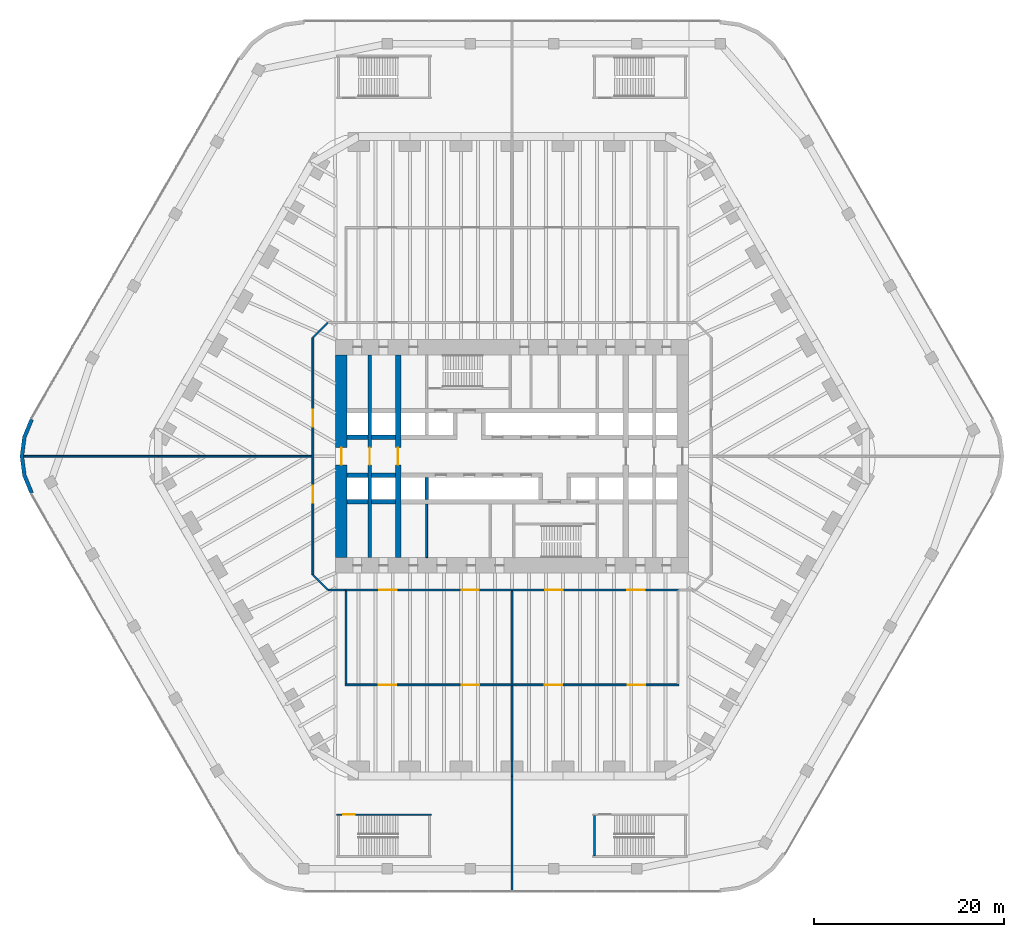
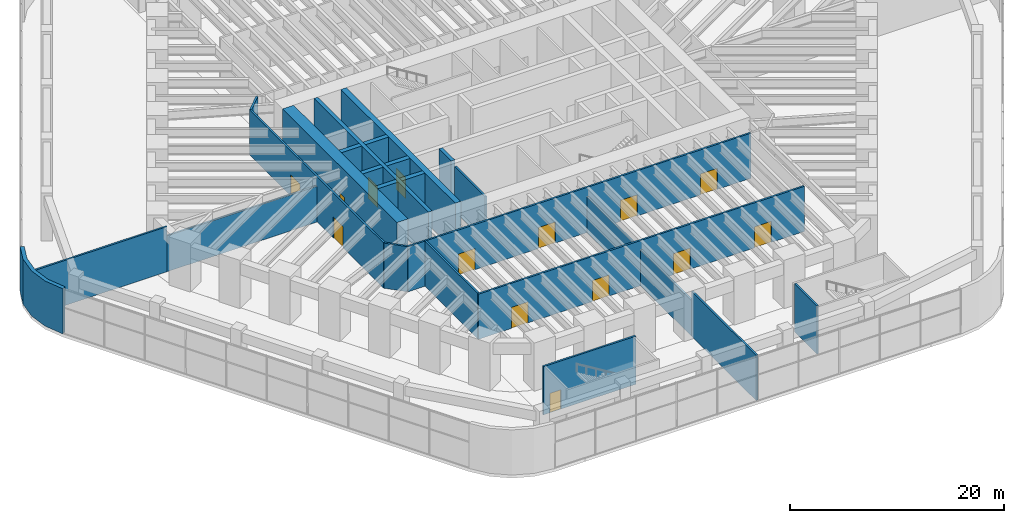
# One storey, part 26 of 31: 26 walls, 14 doors, 14 openings.
"""IFC4 building model written with IfcOpenShell, lengths in metres."""

from ifc_helpers import new_model, si_unit, direction, frame, frame_2d, origin, place, context, subcontext, project, spatial, polyline, rectangle, outline, extrude, material, layer, layer_set, type_object, element, fill, save


model = new_model("IFC4")

# Units and contexts
model_context = context("Model", 3, precision=1e-05, world=origin(), true_north=direction((0.0, 1.0)))
body_context = subcontext(model_context, "Body", "Model", "MODEL_VIEW")
ifc_project = project(units=[si_unit("LENGTHUNIT", "METRE"), si_unit("AREAUNIT", "SQUARE_METRE"), si_unit("VOLUMEUNIT", "CUBIC_METRE"), si_unit("PLANEANGLEUNIT", "RADIAN"), si_unit("MASSUNIT", "GRAM", prefix="KILO")], contexts=[model_context])

# Site, building, storey
site_placement = place(None, origin())
site = spatial("IfcSite", under=ifc_project, at=site_placement, CompositionType="ELEMENT")
building_placement = place(site_placement, origin())
building = spatial("IfcBuilding", under=site, at=building_placement, Name="Tarfa Lantern Tower", CompositionType="ELEMENT")
storey_placement = place(building_placement, frame((0.0, 0.0, 13.0)))
storey = spatial("IfcBuildingStorey", under=building, at=storey_placement, Name="L02", CompositionType="ELEMENT", Elevation=13.0)

# Walls
ifc_material_1 = material(Name="Limestone cladding on blockwork", Category="masonry")
ifc_layer_1 = layer(ifc_material_1, 0.39990234375)
ifc_layer_set_1 = layer_set([ifc_layer_1], Name="EW2 CURVED STONE CORNER 400")
wall_type_1 = type_object("IfcWallType", Name="EW2 CURVED STONE CORNER 400", PredefinedType="SOLIDWALL", material=ifc_layer_set_1)
wall_1_placement = place(storey_placement, origin())
element("IfcWall", 1, at=wall_1_placement, inside=storey, type_object=wall_type_1, Name="Stone corner NW-SW", PredefinedType="SOLIDWALL", context=body_context, shape_type="SweptSolid", body=[
    extrude(outline(polyline([(-50.806884765625, 4.0), (-51.60595703125, 2.070556640625), (-51.878662109375, 0.0), (-51.60595703125, -2.070556640625), (-50.806884765625, -4.0), (-50.46044921875, -3.800048828125), (-51.2197265625, -1.967041015625), (-51.478515625, 0.0), (-51.2197265625, 1.967041015625), (-50.46044921875, 3.800048828125), (-50.806884765625, 4.0)])), origin(), (0.0, 0.0, 1.0), 5.14990234375),
])
ifc_material_2 = material(Name="Concrete blockwork", Category="masonry")
ifc_layer_2 = layer(ifc_material_2, 0.199951171875)
ifc_layer_set_2 = layer_set([ifc_layer_2], Name="IW1 BLOCKWORK PARTITION 200 EI 120")
wall_type_2 = type_object("IfcWallType", Name="IW1 BLOCKWORK PARTITION 200 EI 120", PredefinedType="PARTITIONING", material=ifc_layer_set_2)
wall_2_placement = place(storey_placement, frame((-9.0, -5.050048828125, 0.0), z_axis=(0.0, 0.0, 1.0), x_axis=(0.0, -1.0, 0.0)))
element("IfcWall", 2, at=wall_2_placement, inside=storey, type_object=wall_type_2, Name="Core partition", PredefinedType="PARTITIONING", context=body_context, shape_type="SweptSolid", body=[
    extrude(rectangle(XDim=5.64990234375, YDim=0.199951171875, at=frame_2d((2.824951171875, 0.0))), origin(), (0.0, 0.0, 1.0), 5.14990234375),
])

# Wall, openings, doors
ifc_material_3 = material(Name="Gypsum board on steel studs", Category="steel")
ifc_layer_3 = layer(ifc_material_3, 0.2099609375)
ifc_layer_set_3 = layer_set([ifc_layer_3], Name="IW2 ACOUSTIC PARTITION 200")
wall_type_3 = type_object("IfcWallType", Name="IW2 ACOUSTIC PARTITION 200", PredefinedType="PARTITIONING", material=ifc_layer_set_3)
wall_3_placement = place(storey_placement, frame((17.60009765625, -14.10009765625, 0.0), z_axis=(0.0, 0.0, 1.0), x_axis=(-1.0, 0.0, 0.0)))
wall_3 = element("IfcWall", 3, at=wall_3_placement, inside=storey, type_object=wall_type_3, Name="Partition", PredefinedType="PARTITIONING", context=body_context, shape_type="SweptSolid", body=[
    extrude(rectangle(XDim=35.2001953125, YDim=0.199951171875, at=frame_2d((17.60009765625, 0.0))), origin(), (0.0, 0.0, 1.0), 5.14990234375),
])
opening_1_placement = place(wall_3_placement, frame((12.27490234375, 0.0, 0.0)))
opening_1 = element("IfcOpeningElement", 4, at=opening_1_placement, cuts=wall_3, Name="Opening D37", PredefinedType="OPENING", context=body_context, shape_type="SweptSolid", body=[
    extrude(rectangle(XDim=1.800048828125, YDim=2.39990234375, at=frame_2d((0.89990234375, 1.199951171875))), frame((0.0, 0.10986328125, 0.0), z_axis=(0.0, -1.0, 0.0), x_axis=(1.0, 0.0, 0.0)), (0.0, 0.0, 1.0), 0.219970703125),
])
opening_2_placement = place(wall_3_placement, frame((3.625, 0.0, 0.0)))
opening_2 = element("IfcOpeningElement", 5, at=opening_2_placement, cuts=wall_3, Name="Opening D38", PredefinedType="OPENING", context=body_context, shape_type="SweptSolid", body=[
    extrude(rectangle(XDim=1.800048828125, YDim=2.39990234375, at=frame_2d((0.89990234375, 1.199951171875))), frame((0.0, 0.10986328125, 0.0), z_axis=(0.0, -1.0, 0.0), x_axis=(1.0, 0.0, 0.0)), (0.0, 0.0, 1.0), 0.219970703125),
])
opening_3_placement = place(wall_3_placement, frame((29.77490234375, 0.0, 0.0)))
opening_3 = element("IfcOpeningElement", 6, at=opening_3_placement, cuts=wall_3, Name="Opening D39", PredefinedType="OPENING", context=body_context, shape_type="SweptSolid", body=[
    extrude(rectangle(XDim=1.800048828125, YDim=2.39990234375, at=frame_2d((0.89990234375, 1.199951171875))), frame((0.0, 0.10986328125, 0.0), z_axis=(0.0, -1.0, 0.0), x_axis=(1.0, 0.0, 0.0)), (0.0, 0.0, 1.0), 0.219970703125),
])
opening_4_placement = place(wall_3_placement, frame((21.125, 0.0, 0.0)))
opening_4 = element("IfcOpeningElement", 7, at=opening_4_placement, cuts=wall_3, Name="Opening D40", PredefinedType="OPENING", context=body_context, shape_type="SweptSolid", body=[
    extrude(rectangle(XDim=1.800048828125, YDim=2.39990234375, at=frame_2d((0.89990234375, 1.199951171875))), frame((0.0, 0.10986328125, 0.0), z_axis=(0.0, -1.0, 0.0), x_axis=(1.0, 0.0, 0.0)), (0.0, 0.0, 1.0), 0.219970703125),
])
ifc_material_4 = material(Name="Timber door", Category="wood")
door_type_1 = type_object("IfcDoorType", Name="DR2 ROOM DOOR 1800x2400", OperationType="DOUBLE_DOOR_SINGLE_SWING", PredefinedType="DOOR", material=ifc_material_4)
door_1_placement = place(opening_1_placement, origin())
door_1 = element("IfcDoor", 8, at=door_1_placement, inside=storey, type_object=door_type_1, Name="Training room door", OperationType="DOUBLE_DOOR_SINGLE_SWING", OverallHeight=2.39990234375, OverallWidth=1.800048828125, PredefinedType="DOOR", context=body_context, shape_type="SweptSolid", body=[
    extrude(rectangle(XDim=1.800048828125, YDim=2.39990234375, at=frame_2d((0.89990234375, 1.199951171875))), frame((0.0, 0.02490234375, 0.0), z_axis=(0.0, -1.0, 0.0), x_axis=(1.0, 0.0, 0.0)), (0.0, 0.0, 1.0), 0.050048828125),
])
fill(opening_1, door_1)
door_2_placement = place(opening_2_placement, origin())
door_2 = element("IfcDoor", 9, at=door_2_placement, inside=storey, type_object=door_type_1, Name="Training room door", OperationType="DOUBLE_DOOR_SINGLE_SWING", OverallHeight=2.39990234375, OverallWidth=1.800048828125, PredefinedType="DOOR", context=body_context, shape_type="SweptSolid", body=[
    extrude(rectangle(XDim=1.800048828125, YDim=2.39990234375, at=frame_2d((0.89990234375, 1.199951171875))), frame((0.0, 0.02490234375, 0.0), z_axis=(0.0, -1.0, 0.0), x_axis=(1.0, 0.0, 0.0)), (0.0, 0.0, 1.0), 0.050048828125),
])
fill(opening_2, door_2)
door_3_placement = place(opening_3_placement, origin())
door_3 = element("IfcDoor", 10, at=door_3_placement, inside=storey, type_object=door_type_1, Name="Training room door", OperationType="DOUBLE_DOOR_SINGLE_SWING", OverallHeight=2.39990234375, OverallWidth=1.800048828125, PredefinedType="DOOR", context=body_context, shape_type="SweptSolid", body=[
    extrude(rectangle(XDim=1.800048828125, YDim=2.39990234375, at=frame_2d((0.89990234375, 1.199951171875))), frame((0.0, 0.02490234375, 0.0), z_axis=(0.0, -1.0, 0.0), x_axis=(1.0, 0.0, 0.0)), (0.0, 0.0, 1.0), 0.050048828125),
])
fill(opening_3, door_3)
door_4_placement = place(opening_4_placement, origin())
door_4 = element("IfcDoor", 11, at=door_4_placement, inside=storey, type_object=door_type_1, Name="Training room door", OperationType="DOUBLE_DOOR_SINGLE_SWING", OverallHeight=2.39990234375, OverallWidth=1.800048828125, PredefinedType="DOOR", context=body_context, shape_type="SweptSolid", body=[
    extrude(rectangle(XDim=1.800048828125, YDim=2.39990234375, at=frame_2d((0.89990234375, 1.199951171875))), frame((0.0, 0.02490234375, 0.0), z_axis=(0.0, -1.0, 0.0), x_axis=(1.0, 0.0, 0.0)), (0.0, 0.0, 1.0), 0.050048828125),
])
fill(opening_4, door_4)

# Walls
wall_4_placement = place(storey_placement, frame((0.0, -14.199951171875, 0.0), z_axis=(0.0, 0.0, 1.0), x_axis=(0.0, -1.0, 0.0)))
element("IfcWall", 12, at=wall_4_placement, inside=storey, type_object=wall_type_3, Name="Partition", PredefinedType="PARTITIONING", context=body_context, shape_type="SweptSolid", body=[
    extrude(rectangle(XDim=9.800048828125, YDim=0.199951171875, at=frame_2d((4.89990234375, 0.0))), origin(), (0.0, 0.0, 1.0), 4.093994140625),
])
wall_5_placement = place(storey_placement, frame((-17.5, -14.199951171875, 0.0), z_axis=(0.0, 0.0, 1.0), x_axis=(0.0, -1.0, 0.0)))
element("IfcWall", 13, at=wall_5_placement, inside=storey, type_object=wall_type_3, Name="Partition", PredefinedType="PARTITIONING", context=body_context, shape_type="SweptSolid", body=[
    extrude(rectangle(XDim=9.800048828125, YDim=0.199951171875, at=frame_2d((4.89990234375, 0.0))), origin(), (0.0, 0.0, 1.0), 5.14990234375),
])

# Wall, openings, doors
wall_6_placement = place(storey_placement, frame((17.60009765625, -24.10009765625, 0.0), z_axis=(0.0, 0.0, 1.0), x_axis=(-1.0, 0.0, 0.0)))
wall_6 = element("IfcWall", 14, at=wall_6_placement, inside=storey, type_object=wall_type_3, Name="Partition", PredefinedType="PARTITIONING", context=body_context, shape_type="SweptSolid", body=[
    extrude(rectangle(XDim=35.2001953125, YDim=0.199951171875, at=frame_2d((17.60009765625, 0.0))), origin(), (0.0, 0.0, 1.0), 5.14990234375),
])
opening_5_placement = place(wall_6_placement, frame((3.574951171875, 0.0, 0.0)))
opening_5 = element("IfcOpeningElement", 15, at=opening_5_placement, cuts=wall_6, Name="Opening D45", PredefinedType="OPENING", context=body_context, shape_type="SweptSolid", body=[
    extrude(rectangle(XDim=1.800048828125, YDim=2.39990234375, at=frame_2d((0.89990234375, 1.199951171875))), frame((0.0, 0.10986328125, 0.0), z_axis=(0.0, -1.0, 0.0), x_axis=(1.0, 0.0, 0.0)), (0.0, 0.0, 1.0), 0.219970703125),
])
opening_6_placement = place(wall_6_placement, frame((12.324951171875, 0.0, 0.0)))
opening_6 = element("IfcOpeningElement", 16, at=opening_6_placement, cuts=wall_6, Name="Opening D46", PredefinedType="OPENING", context=body_context, shape_type="SweptSolid", body=[
    extrude(rectangle(XDim=1.800048828125, YDim=2.39990234375, at=frame_2d((0.89990234375, 1.199951171875))), frame((0.0, 0.10986328125, 0.0), z_axis=(0.0, -1.0, 0.0), x_axis=(1.0, 0.0, 0.0)), (0.0, 0.0, 1.0), 0.219970703125),
])
opening_7_placement = place(wall_6_placement, frame((21.074951171875, 0.0, 0.0)))
opening_7 = element("IfcOpeningElement", 17, at=opening_7_placement, cuts=wall_6, Name="Opening D47", PredefinedType="OPENING", context=body_context, shape_type="SweptSolid", body=[
    extrude(rectangle(XDim=1.800048828125, YDim=2.39990234375, at=frame_2d((0.89990234375, 1.199951171875))), frame((0.0, 0.10986328125, 0.0), z_axis=(0.0, -1.0, 0.0), x_axis=(1.0, 0.0, 0.0)), (0.0, 0.0, 1.0), 0.219970703125),
])
opening_8_placement = place(wall_6_placement, frame((29.824951171875, 0.0, 0.0)))
opening_8 = element("IfcOpeningElement", 18, at=opening_8_placement, cuts=wall_6, Name="Opening D48", PredefinedType="OPENING", context=body_context, shape_type="SweptSolid", body=[
    extrude(rectangle(XDim=1.800048828125, YDim=2.39990234375, at=frame_2d((0.89990234375, 1.199951171875))), frame((0.0, 0.10986328125, 0.0), z_axis=(0.0, -1.0, 0.0), x_axis=(1.0, 0.0, 0.0)), (0.0, 0.0, 1.0), 0.219970703125),
])
door_5_placement = place(opening_5_placement, frame((1.800048828125, 0.0, 0.0), z_axis=(0.0, 0.0, 1.0), x_axis=(-1.0, 0.0, 0.0)))
door_5 = element("IfcDoor", 19, at=door_5_placement, inside=storey, type_object=door_type_1, Name="Training room door", OperationType="DOUBLE_DOOR_SINGLE_SWING", OverallHeight=2.39990234375, OverallWidth=1.800048828125, PredefinedType="DOOR", context=body_context, shape_type="SweptSolid", body=[
    extrude(rectangle(XDim=1.800048828125, YDim=2.39990234375, at=frame_2d((0.89990234375, 1.199951171875))), frame((0.0, 0.02490234375, 0.0), z_axis=(0.0, -1.0, 0.0), x_axis=(1.0, 0.0, 0.0)), (0.0, 0.0, 1.0), 0.050048828125),
])
fill(opening_5, door_5)
door_6_placement = place(opening_6_placement, frame((1.800048828125, 0.0, 0.0), z_axis=(0.0, 0.0, 1.0), x_axis=(-1.0, 0.0, 0.0)))
door_6 = element("IfcDoor", 20, at=door_6_placement, inside=storey, type_object=door_type_1, Name="Training room door", OperationType="DOUBLE_DOOR_SINGLE_SWING", OverallHeight=2.39990234375, OverallWidth=1.800048828125, PredefinedType="DOOR", context=body_context, shape_type="SweptSolid", body=[
    extrude(rectangle(XDim=1.800048828125, YDim=2.39990234375, at=frame_2d((0.89990234375, 1.199951171875))), frame((0.0, 0.02490234375, 0.0), z_axis=(0.0, -1.0, 0.0), x_axis=(1.0, 0.0, 0.0)), (0.0, 0.0, 1.0), 0.050048828125),
])
fill(opening_6, door_6)
door_7_placement = place(opening_7_placement, frame((1.800048828125, 0.0, 0.0), z_axis=(0.0, 0.0, 1.0), x_axis=(-1.0, 0.0, 0.0)))
door_7 = element("IfcDoor", 21, at=door_7_placement, inside=storey, type_object=door_type_1, Name="Training room door", OperationType="DOUBLE_DOOR_SINGLE_SWING", OverallHeight=2.39990234375, OverallWidth=1.800048828125, PredefinedType="DOOR", context=body_context, shape_type="SweptSolid", body=[
    extrude(rectangle(XDim=1.800048828125, YDim=2.39990234375, at=frame_2d((0.89990234375, 1.199951171875))), frame((0.0, 0.02490234375, 0.0), z_axis=(0.0, -1.0, 0.0), x_axis=(1.0, 0.0, 0.0)), (0.0, 0.0, 1.0), 0.050048828125),
])
fill(opening_7, door_7)
door_8_placement = place(opening_8_placement, frame((1.800048828125, 0.0, 0.0), z_axis=(0.0, 0.0, 1.0), x_axis=(-1.0, 0.0, 0.0)))
door_8 = element("IfcDoor", 22, at=door_8_placement, inside=storey, type_object=door_type_1, Name="Training room door", OperationType="DOUBLE_DOOR_SINGLE_SWING", OverallHeight=2.39990234375, OverallWidth=1.800048828125, PredefinedType="DOOR", context=body_context, shape_type="SweptSolid", body=[
    extrude(rectangle(XDim=1.800048828125, YDim=2.39990234375, at=frame_2d((0.89990234375, 1.199951171875))), frame((0.0, 0.02490234375, 0.0), z_axis=(0.0, -1.0, 0.0), x_axis=(1.0, 0.0, 0.0)), (0.0, 0.0, 1.0), 0.050048828125),
])
fill(opening_8, door_8)

# Walls
wall_7_placement = place(storey_placement, frame((-17.60009765625, -14.10009765625, 0.0), z_axis=(0.0, 0.0, 1.0), x_axis=(-1.0, 0.0, 0.0)))
element("IfcWall", 23, at=wall_7_placement, inside=storey, type_object=wall_type_3, Name="Partition", PredefinedType="PARTITIONING", context=body_context, shape_type="SweptSolid", body=[
    extrude(rectangle(XDim=1.7998046875, YDim=0.199951171875, at=frame_2d((0.89990234375, 0.0))), origin(), (0.0, 0.0, 1.0), 5.14990234375),
])
wall_8_placement = place(storey_placement, frame((-19.39990234375, -14.10009765625, 0.0), z_axis=(0.0, 0.0, 1.0), x_axis=(-0.707106781187, 0.707106781187, 0.0)))
element("IfcWall", 24, at=wall_8_placement, inside=storey, type_object=wall_type_3, Name="Partition", PredefinedType="PARTITIONING", context=body_context, shape_type="SweptSolid", body=[
    extrude(rectangle(XDim=2.262939453125, YDim=0.199951171875, at=frame_2d((1.13134765625, 0.0))), origin(), (0.0, 0.0, 1.0), 5.14990234375),
])

# Wall, openings, doors
wall_9_placement = place(storey_placement, frame((-21.0, -12.5, 0.0), z_axis=(0.0, 0.0, 1.0), x_axis=(0.0, 1.0, 0.0)))
wall_9 = element("IfcWall", 25, at=wall_9_placement, inside=storey, type_object=wall_type_3, Name="Partition", PredefinedType="PARTITIONING", context=body_context, shape_type="SweptSolid", body=[
    extrude(rectangle(XDim=25.0, YDim=0.199951171875, at=frame_2d((12.5, 0.0))), origin(), (0.0, 0.0, 1.0), 5.14990234375),
])
opening_9_placement = place(wall_9_placement, frame((15.60009765625, 0.0, 0.0)))
opening_9 = element("IfcOpeningElement", 26, at=opening_9_placement, cuts=wall_9, Name="Opening D50", PredefinedType="OPENING", context=body_context, shape_type="SweptSolid", body=[
    extrude(rectangle(XDim=1.800048828125, YDim=2.39990234375, at=frame_2d((0.89990234375, 1.199951171875))), frame((0.0, 0.10986328125, 0.0), z_axis=(0.0, -1.0, 0.0), x_axis=(1.0, 0.0, 0.0)), (0.0, 0.0, 1.0), 0.219970703125),
])
opening_10_placement = place(wall_9_placement, frame((7.60009765625, 0.0, 0.0)))
opening_10 = element("IfcOpeningElement", 27, at=opening_10_placement, cuts=wall_9, Name="Opening D52", PredefinedType="OPENING", context=body_context, shape_type="SweptSolid", body=[
    extrude(rectangle(XDim=1.800048828125, YDim=2.39990234375, at=frame_2d((0.89990234375, 1.199951171875))), frame((0.0, 0.10986328125, 0.0), z_axis=(0.0, -1.0, 0.0), x_axis=(1.0, 0.0, 0.0)), (0.0, 0.0, 1.0), 0.219970703125),
])
door_9_placement = place(opening_9_placement, origin())
door_9 = element("IfcDoor", 28, at=door_9_placement, inside=storey, type_object=door_type_1, Name="Business centre door", OperationType="DOUBLE_DOOR_SINGLE_SWING", OverallHeight=2.39990234375, OverallWidth=1.800048828125, PredefinedType="DOOR", context=body_context, shape_type="SweptSolid", body=[
    extrude(rectangle(XDim=1.800048828125, YDim=2.39990234375, at=frame_2d((0.89990234375, 1.199951171875))), frame((0.0, 0.02490234375, 0.0), z_axis=(0.0, -1.0, 0.0), x_axis=(1.0, 0.0, 0.0)), (0.0, 0.0, 1.0), 0.050048828125),
])
fill(opening_9, door_9)
door_10_placement = place(opening_10_placement, origin())
door_10 = element("IfcDoor", 29, at=door_10_placement, inside=storey, type_object=door_type_1, Name="Business centre door", OperationType="DOUBLE_DOOR_SINGLE_SWING", OverallHeight=2.39990234375, OverallWidth=1.800048828125, PredefinedType="DOOR", context=body_context, shape_type="SweptSolid", body=[
    extrude(rectangle(XDim=1.800048828125, YDim=2.39990234375, at=frame_2d((0.89990234375, 1.199951171875))), frame((0.0, 0.02490234375, 0.0), z_axis=(0.0, -1.0, 0.0), x_axis=(1.0, 0.0, 0.0)), (0.0, 0.0, 1.0), 0.050048828125),
])
fill(opening_10, door_10)

# Walls
wall_10_placement = place(storey_placement, frame((-21.0, 12.5, 0.0), z_axis=(0.0, 0.0, 1.0), x_axis=(0.707106781187, 0.707106781187, 0.0)))
element("IfcWall", 30, at=wall_10_placement, inside=storey, type_object=wall_type_3, Name="Partition", PredefinedType="PARTITIONING", context=body_context, shape_type="SweptSolid", body=[
    extrude(rectangle(XDim=2.262939453125, YDim=0.199951171875, at=frame_2d((1.13134765625, 0.0))), origin(), (0.0, 0.0, 1.0), 5.14990234375),
])
wall_11_placement = place(storey_placement, frame((0.0, -24.199951171875, 0.0), z_axis=(0.0, 0.0, 1.0), x_axis=(0.0, -1.0, 0.0)))
element("IfcWall", 31, at=wall_11_placement, inside=storey, type_object=wall_type_3, Name="Partition", PredefinedType="PARTITIONING", context=body_context, shape_type="SweptSolid", body=[
    extrude(rectangle(XDim=9.52001953125, YDim=0.199951171875, at=frame_2d((4.760009765625, 0.0))), origin(), (0.0, 0.0, 1.0), 4.093994140625),
])
wall_12_placement = place(storey_placement, frame((0.0, -33.719970703125, 0.0), z_axis=(0.0, 0.0, 1.0), x_axis=(0.0, -1.0, 0.0)))
element("IfcWall", 32, at=wall_12_placement, inside=storey, type_object=wall_type_3, Name="Partition", PredefinedType="PARTITIONING", context=body_context, shape_type="SweptSolid", body=[
    extrude(rectangle(XDim=12.090087890625, YDim=0.199951171875, at=frame_2d((6.044921875, 0.0))), origin(), (0.0, 0.0, 1.0), 5.14990234375),
])
wall_13_placement = place(storey_placement, frame((-21.10009765625, 0.0, 0.0), z_axis=(0.0, 0.0, 1.0), x_axis=(-1.0, 0.0, 0.0)))
element("IfcWall", 33, at=wall_13_placement, inside=storey, type_object=wall_type_3, Name="Partition", PredefinedType="PARTITIONING", context=body_context, shape_type="SweptSolid", body=[
    extrude(rectangle(XDim=16.185302734375, YDim=0.199951171875, at=frame_2d((8.0927734375, 0.0))), origin(), (0.0, 0.0, 1.0), 4.093994140625),
])
wall_14_placement = place(storey_placement, frame((-37.285400390625, 0.0, 0.0), z_axis=(0.0, 0.0, 1.0), x_axis=(-1.0, 0.0, 0.0)))
element("IfcWall", 34, at=wall_14_placement, inside=storey, type_object=wall_type_3, Name="Partition", PredefinedType="PARTITIONING", context=body_context, shape_type="SweptSolid", body=[
    extrude(rectangle(XDim=14.18017578125, YDim=0.199951171875, at=frame_2d((7.090087890625, 0.0))), origin(), (0.0, 0.0, 1.0), 5.14990234375),
])

# Wall, opening, door
ifc_material_5 = material(Name="Concrete C80/95", Category="concrete")
ifc_layer_4 = layer(ifc_material_5, 1.199951171875)
ifc_layer_set_4 = layer_set([ifc_layer_4], Name="SW1 CORE WALL 1200")
wall_type_4 = type_object("IfcWallType", Name="SW1 CORE WALL 1200", PredefinedType="SHEAR", material=ifc_layer_set_4)
wall_15_placement = place(storey_placement, frame((-18.0, 10.699951171875, 0.0), z_axis=(0.0, 0.0, 1.0), x_axis=(0.0, -1.0, 0.0)))
wall_15 = element("IfcWall", 35, at=wall_15_placement, inside=storey, type_object=wall_type_4, Name="Core wall W", PredefinedType="SHEAR", context=body_context, shape_type="SweptSolid", body=[
    extrude(rectangle(XDim=21.39990234375, YDim=1.199951171875, at=frame_2d((10.699951171875, 0.0))), origin(), (0.0, 0.0, 1.0), 5.5),
])
opening_11_placement = place(wall_15_placement, frame((9.800048828125, 0.0, 0.0)))
opening_11 = element("IfcOpeningElement", 36, at=opening_11_placement, cuts=wall_15, Name="Opening D16", PredefinedType="OPENING", context=body_context, shape_type="SweptSolid", body=[
    extrude(rectangle(XDim=1.800048828125, YDim=2.39990234375, at=frame_2d((0.89990234375, 1.199951171875))), frame((0.0, 0.60986328125, 0.0), z_axis=(0.0, -1.0, 0.0), x_axis=(1.0, 0.0, 0.0)), (0.0, 0.0, 1.0), 1.219970703125),
])
ifc_material_6 = material(Name="Steel fire door", Category="steel")
door_type_2 = type_object("IfcDoorType", Name="DL1 LOBBY DOOR 1800x2400", OperationType="DOUBLE_DOOR_SINGLE_SWING", PredefinedType="DOOR", material=ifc_material_6)
door_11_placement = place(opening_11_placement, frame((1.800048828125, 0.0, 0.0), z_axis=(0.0, 0.0, 1.0), x_axis=(-1.0, 0.0, 0.0)))
door_11 = element("IfcDoor", 37, at=door_11_placement, inside=storey, type_object=door_type_2, Name="Lift lobby door", OperationType="DOUBLE_DOOR_SINGLE_SWING", OverallHeight=2.39990234375, OverallWidth=1.800048828125, PredefinedType="DOOR", context=body_context, shape_type="SweptSolid", body=[
    extrude(rectangle(XDim=1.800048828125, YDim=2.39990234375, at=frame_2d((0.89990234375, 1.199951171875))), frame((0.0, 0.02490234375, 0.0), z_axis=(0.0, -1.0, 0.0), x_axis=(1.0, 0.0, 0.0)), (0.0, 0.0, 1.0), 0.050048828125),
])
fill(opening_11, door_11)

ifc_layer_5 = layer(ifc_material_5, 0.199951171875)
ifc_layer_set_5 = layer_set([ifc_layer_5], Name="SW12 CORE WALL 200")
wall_type_5 = type_object("IfcWallType", Name="SW12 CORE WALL 200", PredefinedType="SHEAR", material=ifc_layer_set_5)
wall_16_placement = place(storey_placement, frame((-8.5, -37.800048828125, 0.0), z_axis=(0.0, 0.0, 1.0), x_axis=(-1.0, 0.0, 0.0)))
wall_16 = element("IfcWall", 38, at=wall_16_placement, inside=storey, type_object=wall_type_5, Name="Stair ST5 shaft wall", PredefinedType="SHEAR", context=body_context, shape_type="SweptSolid", body=[
    extrude(rectangle(XDim=10.0, YDim=0.199951171875, at=frame_2d((5.0, 0.0))), origin(), (0.0, 0.0, 1.0), 5.5),
])
opening_12_placement = place(wall_16_placement, frame((8.10009765625, 0.0, 0.0)))
opening_12 = element("IfcOpeningElement", 39, at=opening_12_placement, cuts=wall_16, Name="Opening D31", PredefinedType="OPENING", context=body_context, shape_type="SweptSolid", body=[
    extrude(rectangle(XDim=1.199951171875, YDim=2.199951171875, at=frame_2d((0.60009765625, 1.10009765625))), frame((0.0, 0.10986328125, 0.0), z_axis=(0.0, -1.0, 0.0), x_axis=(1.0, 0.0, 0.0)), (0.0, 0.0, 1.0), 0.219970703125),
])
door_type_3 = type_object("IfcDoorType", Name="DF9 STAIR DOOR 1200x2200", OperationType="SINGLE_SWING_LEFT", PredefinedType="DOOR", material=ifc_material_6)
door_12_placement = place(opening_12_placement, frame((1.199951171875, 0.0, 0.0), z_axis=(0.0, 0.0, 1.0), x_axis=(-1.0, 0.0, 0.0)))
door_12 = element("IfcDoor", 40, at=door_12_placement, inside=storey, type_object=door_type_3, Name="Stair door", OperationType="SINGLE_SWING_RIGHT", OverallHeight=2.199951171875, OverallWidth=1.199951171875, PredefinedType="DOOR", context=body_context, shape_type="SweptSolid", body=[
    extrude(rectangle(XDim=1.199951171875, YDim=2.199951171875, at=frame_2d((0.60009765625, 1.10009765625))), frame((0.0, 0.02490234375, 0.0), z_axis=(0.0, -1.0, 0.0), x_axis=(1.0, 0.0, 0.0)), (0.0, 0.0, 1.0), 0.050048828125),
])
fill(opening_12, door_12)

# Walls
wall_17_placement = place(storey_placement, frame((8.699951171875, -37.89990234375, 0.0), z_axis=(0.0, 0.0, 1.0), x_axis=(0.0, -1.0, 0.0)))
element("IfcWall", 41, at=wall_17_placement, inside=storey, type_object=wall_type_5, Name="Stair ST6 shaft wall", PredefinedType="SHEAR", context=body_context, shape_type="SweptSolid", body=[
    extrude(rectangle(XDim=4.2001953125, YDim=0.199951171875, at=frame_2d((2.10009765625, 0.0))), origin(), (0.0, 0.0, 1.0), 5.5),
])
ifc_layer_6 = layer(ifc_material_5, 0.5)
ifc_layer_set_6 = layer_set([ifc_layer_6], Name="SW5 CORE WALL 500")
wall_type_6 = type_object("IfcWallType", Name="SW5 CORE WALL 500", PredefinedType="SHEAR", material=ifc_layer_set_6)
wall_18_placement = place(storey_placement, frame((-17.39990234375, 2.0, 0.0), z_axis=(0.0, 0.0, 1.0), x_axis=(1.0, 0.0, 0.0)))
element("IfcWall", 42, at=wall_18_placement, inside=storey, type_object=wall_type_6, Name="Core wall lobby west N", PredefinedType="SHEAR", context=body_context, shape_type="SweptSolid", body=[
    extrude(rectangle(XDim=2.199951171875, YDim=0.5, at=frame_2d((1.10009765625, 0.0))), origin(), (0.0, 0.0, 1.0), 5.5),
])
for number, where, z_axis, x_axis, name in (
    (43, (-14.800048828125, 2.0, 0.0), (0.0, 0.0, 1.0), (1.0, 0.0, 0.0), "Core wall lobby west N"),
    (44, (-12.300048828125, -2.0, 0.0), (0.0, 0.0, 1.0), (-1.0, 0.0, 0.0), "Core wall lobby east S"),
):
    element("IfcWall", number, at=place(storey_placement, frame(where, z_axis=z_axis, x_axis=x_axis)), inside=storey, type_object=wall_type_6, Name=name, PredefinedType="SHEAR", context=body_context, shape_type="SweptSolid", body=[
        extrude(rectangle(XDim=2.5, YDim=0.5, at=frame_2d((1.25, 0.0))), origin(), (0.0, 0.0, 1.0), 5.5),
    ])
wall_19_placement = place(storey_placement, frame((-15.199951171875, -2.0, 0.0), z_axis=(0.0, 0.0, 1.0), x_axis=(-1.0, 0.0, 0.0)))
element("IfcWall", 45, at=wall_19_placement, inside=storey, type_object=wall_type_6, Name="Core wall lobby east S", PredefinedType="SHEAR", context=body_context, shape_type="SweptSolid", body=[
    extrude(rectangle(XDim=2.199951171875, YDim=0.5, at=frame_2d((1.10009765625, 0.0))), origin(), (0.0, 0.0, 1.0), 5.5),
])
wall_20_placement = place(storey_placement, frame((-12.300048828125, -4.800048828125, 0.0), z_axis=(0.0, 0.0, 1.0), x_axis=(-1.0, 0.0, 0.0)))
element("IfcWall", 46, at=wall_20_placement, inside=storey, type_object=wall_type_6, Name="Core wall rear S", PredefinedType="SHEAR", context=body_context, shape_type="SweptSolid", body=[
    extrude(rectangle(XDim=2.5, YDim=0.5, at=frame_2d((1.25, 0.0))), origin(), (0.0, 0.0, 1.0), 5.5),
])
wall_21_placement = place(storey_placement, frame((-15.199951171875, -4.800048828125, 0.0), z_axis=(0.0, 0.0, 1.0), x_axis=(-1.0, 0.0, 0.0)))
element("IfcWall", 47, at=wall_21_placement, inside=storey, type_object=wall_type_6, Name="Core wall rear S", PredefinedType="SHEAR", context=body_context, shape_type="SweptSolid", body=[
    extrude(rectangle(XDim=2.199951171875, YDim=0.5, at=frame_2d((1.10009765625, 0.0))), origin(), (0.0, 0.0, 1.0), 5.5),
])

# Wall, opening, door
ifc_layer_7 = layer(ifc_material_5, 0.39990234375)
ifc_layer_set_7 = layer_set([ifc_layer_7], Name="SW6 CORE WALL 400")
wall_type_7 = type_object("IfcWallType", Name="SW6 CORE WALL 400", PredefinedType="SHEAR", material=ifc_layer_set_7)
wall_22_placement = place(storey_placement, frame((-15.0, -10.699951171875, 0.0), z_axis=(0.0, 0.0, 1.0), x_axis=(0.0, 1.0, 0.0)))
wall_22 = element("IfcWall", 48, at=wall_22_placement, inside=storey, type_object=wall_type_7, Name="Core wall cross 15 m west", PredefinedType="SHEAR", context=body_context, shape_type="SweptSolid", body=[
    extrude(rectangle(XDim=21.39990234375, YDim=0.39990234375, at=frame_2d((10.699951171875, 0.0))), origin(), (0.0, 0.0, 1.0), 5.5),
])
opening_13_placement = place(wall_22_placement, frame((9.800048828125, 0.0, 0.0)))
opening_13 = element("IfcOpeningElement", 49, at=opening_13_placement, cuts=wall_22, Name="Opening D28", PredefinedType="OPENING", context=body_context, shape_type="SweptSolid", body=[
    extrude(rectangle(XDim=1.800048828125, YDim=2.39990234375, at=frame_2d((0.89990234375, 1.199951171875))), frame((0.0, 0.2099609375, 0.0), z_axis=(0.0, -1.0, 0.0), x_axis=(1.0, 0.0, 0.0)), (0.0, 0.0, 1.0), 0.419921875),
])
door_13_placement = place(opening_13_placement, origin())
door_13 = element("IfcDoor", 50, at=door_13_placement, inside=storey, type_object=door_type_2, Name="Lift lobby door", OperationType="DOUBLE_DOOR_SINGLE_SWING", OverallHeight=2.39990234375, OverallWidth=1.800048828125, PredefinedType="DOOR", context=body_context, shape_type="SweptSolid", body=[
    extrude(rectangle(XDim=1.800048828125, YDim=2.39990234375, at=frame_2d((0.89990234375, 1.199951171875))), frame((0.0, 0.02490234375, 0.0), z_axis=(0.0, -1.0, 0.0), x_axis=(1.0, 0.0, 0.0)), (0.0, 0.0, 1.0), 0.050048828125),
])
fill(opening_13, door_13)

# Wall
wall_23_placement = place(storey_placement, frame((-9.0, -2.25, 0.0), z_axis=(0.0, 0.0, 1.0), x_axis=(0.0, -1.0, 0.0)))
element("IfcWall", 51, at=wall_23_placement, inside=storey, type_object=wall_type_7, Name="Core wall divider S", PredefinedType="SHEAR", context=body_context, shape_type="SweptSolid", body=[
    extrude(rectangle(XDim=2.300048828125, YDim=0.39990234375, at=frame_2d((1.14990234375, 0.0))), origin(), (0.0, 0.0, 1.0), 5.5),
])

# Wall, opening, door
ifc_layer_8 = layer(ifc_material_5, 0.60009765625)
ifc_layer_set_8 = layer_set([ifc_layer_8], Name="SW9 CORE WALL 600")
wall_type_8 = type_object("IfcWallType", Name="SW9 CORE WALL 600", PredefinedType="SHEAR", material=ifc_layer_set_8)
wall_24_placement = place(storey_placement, frame((-12.0, -10.699951171875, 0.0), z_axis=(0.0, 0.0, 1.0), x_axis=(0.0, 1.0, 0.0)))
wall_24 = element("IfcWall", 52, at=wall_24_placement, inside=storey, type_object=wall_type_8, Name="Core wall cross 12 m west", PredefinedType="SHEAR", context=body_context, shape_type="SweptSolid", body=[
    extrude(rectangle(XDim=21.39990234375, YDim=0.60009765625, at=frame_2d((10.699951171875, 0.0))), origin(), (0.0, 0.0, 1.0), 5.5),
])
opening_14_placement = place(wall_24_placement, frame((9.800048828125, 0.0, 0.0)))
opening_14 = element("IfcOpeningElement", 53, at=opening_14_placement, cuts=wall_24, Name="Opening D27", PredefinedType="OPENING", context=body_context, shape_type="SweptSolid", body=[
    extrude(rectangle(XDim=1.800048828125, YDim=2.39990234375, at=frame_2d((0.89990234375, 1.199951171875))), frame((0.0, 0.31005859375, 0.0), z_axis=(0.0, -1.0, 0.0), x_axis=(1.0, 0.0, 0.0)), (0.0, 0.0, 1.0), 0.6201171875),
])
door_14_placement = place(opening_14_placement, origin())
door_14 = element("IfcDoor", 54, at=door_14_placement, inside=storey, type_object=door_type_2, Name="Lift lobby door", OperationType="DOUBLE_DOOR_SINGLE_SWING", OverallHeight=2.39990234375, OverallWidth=1.800048828125, PredefinedType="DOOR", context=body_context, shape_type="SweptSolid", body=[
    extrude(rectangle(XDim=1.800048828125, YDim=2.39990234375, at=frame_2d((0.89990234375, 1.199951171875))), frame((0.0, 0.02490234375, 0.0), z_axis=(0.0, -1.0, 0.0), x_axis=(1.0, 0.0, 0.0)), (0.0, 0.0, 1.0), 0.050048828125),
])
fill(opening_14, door_14)

save(model, "model.ifc")
